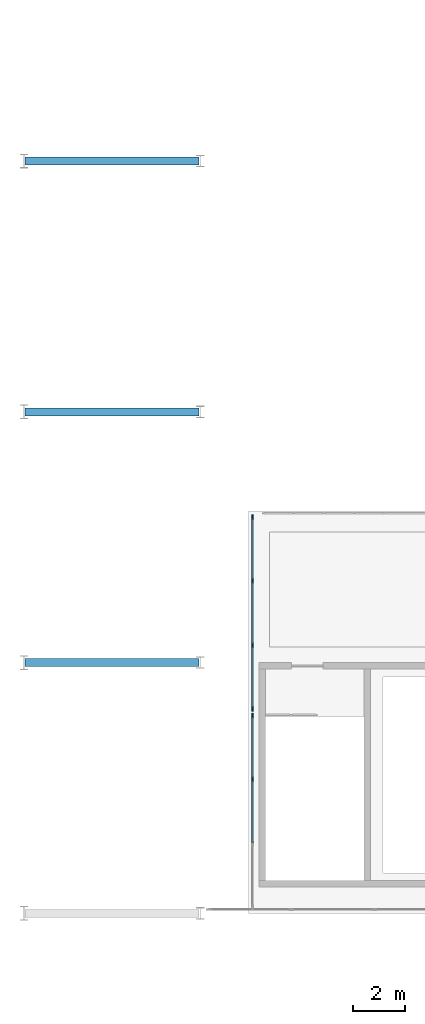
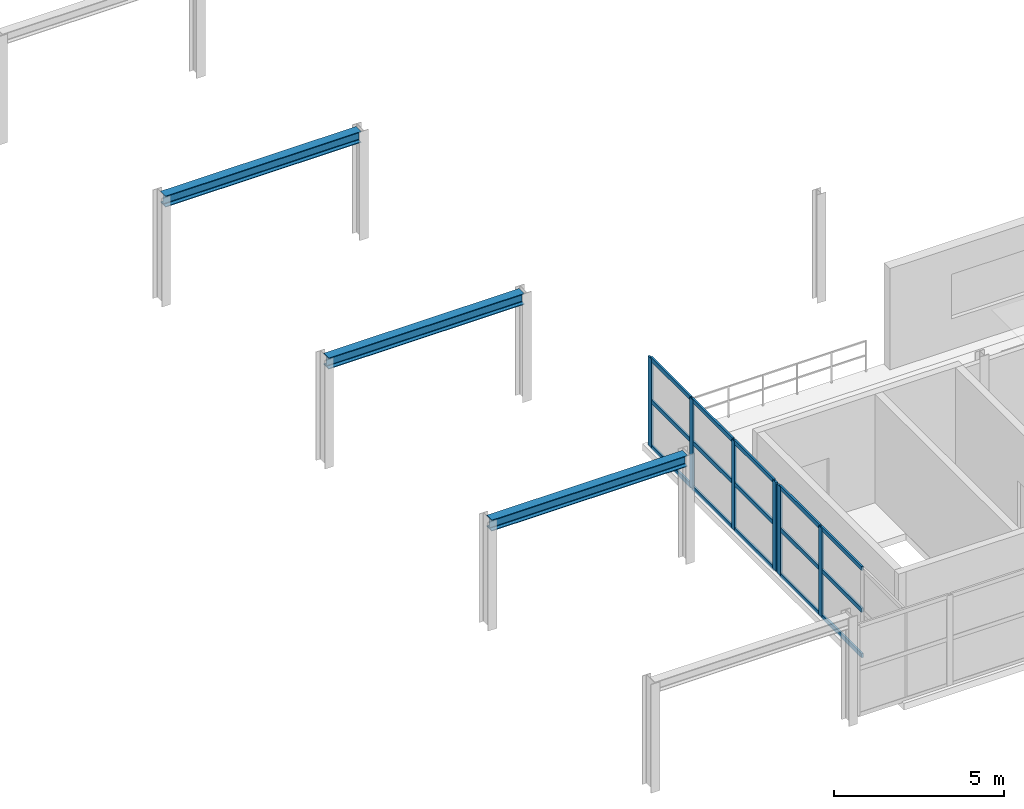
# One storey, part 17 of 52: 21 members, 3 beams, 2 elements without a shape of their own.
"""IFC4 building model written with IfcOpenShell, lengths in metres."""

import ifcopenshell
import ifcopenshell.guid

model = None  # the IFC model being written
_history = None  # IfcOwnerHistory: only IFC2X3 demands one
_inside = {}  # id of a spatial element -> (the spatial element, [elements in it])
_under = {}  # id of a project, library or spatial element -> (it, [spatial elements below it])
_declared = {}  # id of a project -> (the project, [libraries it declares])
_typed = {}  # id of a type object -> (the type object, [elements of that type])
_made_of = {}  # id of a material, layer set ... -> (it, [elements and type objects made of it])


def new_model(schema):
    """Start an empty IFC model of exactly this schema.

    Asked for "IFC4X3", IfcOpenShell would pick the latest addendum, in which some entities
    have other attributes; the version numbers below select the first issue.
    IFC2X3 requires an IfcOwnerHistory on every rooted entity: one is made here for all.
    """
    global model, _history
    if schema == "IFC4X3":
        model = ifcopenshell.file(schema_version=(4, 3, 0, 0))
    else:
        model = ifcopenshell.file(schema=schema)
    _inside.clear()
    _under.clear()
    _declared.clear()
    _typed.clear()
    _made_of.clear()
    _history = None
    if model.schema == "IFC2X3":
        org = make("IfcOrganization", Name="unknown")
        user = make(
            "IfcPersonAndOrganization",
            ThePerson=make("IfcPerson", FamilyName="unknown"),
            TheOrganization=org,
        )
        app = make(
            "IfcApplication",
            ApplicationDeveloper=org,
            Version="unknown",
            ApplicationFullName="unknown",
            ApplicationIdentifier="unknown",
        )
        _history = make(
            "IfcOwnerHistory",
            OwningUser=user,
            OwningApplication=app,
            ChangeAction="ADDED",
            CreationDate=0,
        )
    return model


def make(cls, **values):
    """One entity of the class cls with the attributes given. An attribute that is None is left unset."""
    return model.create_entity(
        cls, **{name: value for name, value in values.items() if value is not None}
    )


def rooted(cls, **values):
    """An entity with a GlobalId (a new one), such as an element, a storey or a relation."""
    return make(cls, GlobalId=ifcopenshell.guid.new(), OwnerHistory=_history, **values)


def si_unit(unit_type, name, prefix=None):
    """IfcSIUnit, for example si_unit("LENGTHUNIT", "METRE", prefix="MILLI")."""
    return make("IfcSIUnit", UnitType=unit_type, Prefix=prefix, Name=name)


def assignment(units):
    """IfcUnitAssignment: the units of a project."""
    return None if units is None else make("IfcUnitAssignment", Units=units)


def point(xyz):
    """IfcCartesianPoint."""
    return None if xyz is None else make("IfcCartesianPoint", Coordinates=xyz)


def direction(xyz):
    """IfcDirection."""
    return None if xyz is None else make("IfcDirection", DirectionRatios=xyz)


def frame(location, z_axis=None, x_axis=None):
    """IfcAxis2Placement3D, a coordinate frame: its origin and axes. An axis left out is left unset."""
    return make(
        "IfcAxis2Placement3D",
        Location=point(location),
        Axis=direction(z_axis),
        RefDirection=direction(x_axis),
    )


def frame_2d(location, x_axis=None):
    """IfcAxis2Placement2D, a coordinate frame in the plane: its origin and x axis."""
    return make(
        "IfcAxis2Placement2D", Location=point(location), RefDirection=direction(x_axis)
    )


def origin():
    """The frame at (0, 0, 0) with its axes left unset."""
    return frame((0.0, 0.0, 0.0))


def origin_2d():
    """The frame at (0, 0) in the plane with its x axis left unset."""
    return frame_2d((0.0, 0.0))


def place(relative_to, where):
    """IfcLocalPlacement: puts the frame where relative to a parent placement (None: the world)."""
    return make(
        "IfcLocalPlacement", PlacementRelTo=relative_to, RelativePlacement=where
    )


def context(
    kind, dimensions, precision=None, world=None, true_north=None, identifier=None
):
    """IfcGeometricRepresentationContext, for example the 3D "Model" context."""
    return make(
        "IfcGeometricRepresentationContext",
        ContextIdentifier=identifier,
        ContextType=kind,
        CoordinateSpaceDimension=dimensions,
        Precision=precision,
        WorldCoordinateSystem=world,
        TrueNorth=true_north,
    )


def subcontext(parent, identifier, kind, view, scale=None):
    """IfcGeometricRepresentationSubContext, for example "Body" below "Model"."""
    return make(
        "IfcGeometricRepresentationSubContext",
        ContextIdentifier=identifier,
        ContextType=kind,
        ParentContext=parent,
        TargetScale=scale,
        TargetView=view,
    )


def project(units=None, contexts=None):
    """IfcProject with its units and contexts."""
    return rooted(
        "IfcProject",
        Name="project",
        RepresentationContexts=contexts,
        UnitsInContext=assignment(units),
    )


def spatial(cls, under=None, at=None, **own):
    """A site, building, storey or space (cls), placed at a placement, below another one or the project."""
    s = rooted(cls, ObjectPlacement=at, **own)
    if under is not None:
        _under.setdefault(under.id(), (under, []))[1].append(s)
    return s


def profile(cls, at=None, kind="AREA", **sizes):
    """A parametric profile (cls). Its sizes go by their IFC names, for example OverallWidth=200.0."""
    return make(cls, ProfileType=kind, Position=at, **sizes)


def rectangle(**sizes):
    """IfcRectangleProfileDef."""
    return profile("IfcRectangleProfileDef", **sizes)


def i_section(**sizes):
    """IfcIShapeProfileDef."""
    return profile("IfcIShapeProfileDef", **sizes)


def extrude(swept, where, along, depth):
    """IfcExtrudedAreaSolid: the profile swept, set in the frame where, extruded along a direction by depth."""
    return make(
        "IfcExtrudedAreaSolid",
        SweptArea=swept,
        Position=where,
        ExtrudedDirection=direction(along),
        Depth=depth,
    )


def shape(context_of_items, identifier, shape_type, items):
    """IfcShapeRepresentation: the items that make up one representation, for example the "Body"."""
    return make(
        "IfcShapeRepresentation",
        ContextOfItems=context_of_items,
        RepresentationIdentifier=identifier,
        RepresentationType=shape_type,
        Items=items,
    )


def material(Name=None, Category=None):
    """IfcMaterial."""
    return make("IfcMaterial", Name=Name, Category=Category)


def layer(
    of_material, thickness, ventilated=None, Name=None, Category=None, Priority=None
):
    """IfcMaterialLayer: one layer of a wall or slab, of a material (None: an air gap)."""
    return make(
        "IfcMaterialLayer",
        Material=of_material,
        LayerThickness=thickness,
        IsVentilated=ventilated,
        Name=Name,
        Category=Category,
        Priority=Priority,
    )


def layer_set(layers, Name=None):
    """IfcMaterialLayerSet."""
    return make("IfcMaterialLayerSet", MaterialLayers=layers, LayerSetName=Name)


def material_profile(
    of_material, cross_section, Name=None, Category=None, Priority=None
):
    """IfcMaterialProfile: a cross section and its material."""
    return make(
        "IfcMaterialProfile",
        Name=Name,
        Material=of_material,
        Profile=cross_section,
        Priority=Priority,
        Category=Category,
    )


def profile_set(profiles, Name=None, composite=None):
    """IfcMaterialProfileSet."""
    return make(
        "IfcMaterialProfileSet",
        Name=Name,
        MaterialProfiles=profiles,
        CompositeProfile=composite,
    )


def made_of(thing, what):
    """Note that an element or type object is made of a material, layer set ...; save() writes the relation."""
    if what is not None:
        _made_of.setdefault(what.id(), (what, []))[1].append(thing)
    return thing


def type_object(cls, material=None, **own):
    """A type object (cls), such as IfcWallType, which elements share."""
    return made_of(rooted(cls, **own), material)


def element(
    cls,
    number,
    at=None,
    inside=None,
    cuts=None,
    type_object=None,
    material=None,
    context=None,
    identifier="Body",
    shape_type=None,
    held_by="IfcProductDefinitionShape",
    body=None,
    shapes=None,
    **own,
):
    """One element of the class cls, such as IfcWall. Its Tag is "e" and its number.

    at: its placement. inside: the storey or other place that contains it. cuts: it is an
    opening in that element (IfcRelVoidsElement). A single representation is given by context,
    identifier, shape_type and body (its items); several are given by shapes. held_by: the class
    of the entity that holds the representations. save() writes the other relations.
    """
    e = rooted(cls, Tag="e%d" % number, ObjectPlacement=at, **own)
    if body is not None:
        shapes = [shape(context, identifier, shape_type, body)]
    if shapes is not None:
        e.Representation = make(held_by, Representations=shapes)
    if inside is not None:
        _inside.setdefault(inside.id(), (inside, []))[1].append(e)
    if cuts is not None:
        rooted(
            "IfcRelVoidsElement", RelatingBuildingElement=cuts, RelatedOpeningElement=e
        )
    if type_object is not None:
        _typed.setdefault(type_object.id(), (type_object, []))[1].append(e)
    return made_of(e, material)


def aggregate(whole, parts):
    """IfcRelAggregates: a whole, such as a stair, and the parts it consists of."""
    return rooted("IfcRelAggregates", RelatingObject=whole, RelatedObjects=parts)


def save(model, path):
    """Write the relations noted so far, then the file.

    IfcRelAggregates (storeys below a building ...), IfcRelContainedInSpatialStructure (elements
    in a storey), IfcRelDefinesByType, IfcRelAssociatesMaterial and IfcRelDeclares: one each for
    every whole, place, type object, material and project.
    """
    for whole, parts in _under.values():
        aggregate(whole, parts)
    for where, things in _inside.values():
        rooted(
            "IfcRelContainedInSpatialStructure",
            RelatedElements=things,
            RelatingStructure=where,
        )
    for kind, things in _typed.values():
        rooted("IfcRelDefinesByType", RelatedObjects=things, RelatingType=kind)
    for what, things in _made_of.values():
        rooted("IfcRelAssociatesMaterial", RelatedObjects=things, RelatingMaterial=what)
    for by, libraries in _declared.values():
        rooted("IfcRelDeclares", RelatingContext=by, RelatedDefinitions=libraries)
    model.write(path)


model = new_model("IFC4")

# Units and contexts
model_context = context("Model", 3, precision=1e-05, world=origin(), true_north=direction((0.0, 1.0)))
body_context = subcontext(model_context, "Body", "Model", "MODEL_VIEW")
ifc_project = project(units=[si_unit("LENGTHUNIT", "METRE"), si_unit("AREAUNIT", "SQUARE_METRE"), si_unit("VOLUMEUNIT", "CUBIC_METRE"), si_unit("PLANEANGLEUNIT", "RADIAN"), si_unit("MASSUNIT", "GRAM", prefix="KILO")], contexts=[model_context])

# Site, building, storey
site_placement = place(None, origin())
site = spatial("IfcSite", under=ifc_project, at=site_placement, CompositionType="ELEMENT")
building_placement = place(site_placement, origin())
building = spatial("IfcBuilding", under=site, at=building_placement, Name="Myrtia Square Station", CompositionType="ELEMENT")
storey_placement = place(building_placement, frame((0.0, 0.0, 15.0)))
storey = spatial("IfcBuildingStorey", under=building, at=storey_placement, Name="L03", CompositionType="ELEMENT", Elevation=15.0)

# Beams
ifc_material_1 = material(Name="Steel S355", Category="steel")
ifc_material_profile_1 = material_profile(ifc_material_1, i_section(OverallWidth=0.300048828125, OverallDepth=0.39990234375, WebThickness=0.013427734375, FlangeThickness=0.02392578125, FilletRadius=0.027099609375, at=origin_2d()), Name="HEB 400")
ifc_profile_set_1 = profile_set([ifc_material_profile_1], Name="Steel S355")
beam_type = type_object("IfcBeamType", Name="BM-HEB400", PredefinedType="BEAM", material=ifc_profile_set_1)
for number, where, z_axis, x_axis, name in (
    (1, (72.64990234375, 38.39990234375, 3.64990234375), (1.0, 0.0, 0.0), (0.0, 1.0, 0.0), "Colonnade overhang tie beam 004"),
    (2, (72.64990234375, 48.0, 3.64990234375), (1.0, 0.0, 0.0), (0.0, 1.0, 0.0), "Colonnade overhang tie beam 007"),
    (3, (72.64990234375, 57.60009765625, 3.64990234375), (1.0, 0.0, 0.0), (0.0, 1.0, 0.0), "Colonnade overhang tie beam 011"),
):
    element("IfcBeam", number, at=place(storey_placement, frame(where, z_axis=z_axis, x_axis=x_axis)), inside=storey, type_object=beam_type, Name=name, PredefinedType="BEAM", context=body_context, shape_type="SweptSolid", body=[
        extrude(i_section(OverallWidth=0.300048828125, OverallDepth=0.39990234375, WebThickness=0.013427734375, FlangeThickness=0.02392578125, FilletRadius=0.027099609375, at=origin_2d()), origin(), (0.0, 0.0, 1.0), 6.650146484375),
    ])

# Curtain wall, members
ifc_material_2 = material(Name="Dark bronze anodised aluminium", Category="aluminium")
ifc_layer = layer(ifc_material_2, 0.159912109375, Name="Dark bronze anodised aluminium")
ifc_layer_set = layer_set([ifc_layer], Name="Dark bronze anodised aluminium")
curtain_wall_type = type_object("IfcCurtainWallType", Name="CW-TYPE-07-740x320", PredefinedType="USERDEFINED", material=ifc_layer_set)
curtain_wall_1_placement = place(storey_placement, origin())
curtain_wall_1 = element("IfcCurtainWall", 4, at=curtain_wall_1_placement, inside=storey, type_object=curtain_wall_type, Name="Concourse curtain wall CW-L03-033", ObjectType="CONCOURSE CURTAIN WALL", PredefinedType="USERDEFINED")
ifc_material_profile_2 = material_profile(ifc_material_2, rectangle(XDim=0.06494140625, YDim=0.199951171875, at=origin_2d()), Name="ALU-M 65x200")
ifc_profile_set_2 = profile_set([ifc_material_profile_2], Name="Dark bronze anodised aluminium")
member_type_1 = type_object("IfcMemberType", Name="CWM-65x200", PredefinedType="MULLION", material=ifc_profile_set_2)
member_1_placement = place(storey_placement, frame((81.35009765625, 33.933349609375, 0.0), z_axis=(0.0, 0.0, 1.0), x_axis=(-1.0, 0.0, 0.0)))
member_1 = element("IfcMember", 5, at=member_1_placement, type_object=member_type_1, Name="CW-033 mullion 3", PredefinedType="MULLION", context=body_context, shape_type="SweptSolid", body=[
    extrude(rectangle(XDim=0.06494140625, YDim=0.199951171875, at=origin_2d()), origin(), (0.0, 0.0, 1.0), 3.199951171875),
])
member_2_placement = place(storey_placement, frame((81.35009765625, 36.367431640625, 0.0), z_axis=(0.0, 0.0, 1.0), x_axis=(-1.0, 0.0, 0.0)))
member_2 = element("IfcMember", 6, at=member_2_placement, type_object=member_type_1, Name="CW-033 mullion 4", PredefinedType="MULLION", context=body_context, shape_type="SweptSolid", body=[
    extrude(rectangle(XDim=0.06494140625, YDim=0.199951171875, at=origin_2d()), origin(), (0.0, 0.0, 1.0), 3.199951171875),
])

curtain_wall_2_placement = place(storey_placement, origin())
curtain_wall_2 = element("IfcCurtainWall", 7, at=curtain_wall_2_placement, inside=storey, type_object=curtain_wall_type, Name="Concourse curtain wall CW-L03-035", ObjectType="CONCOURSE CURTAIN WALL", PredefinedType="USERDEFINED")
member_3_placement = place(storey_placement, frame((81.35009765625, 36.632568359375, 0.0), z_axis=(0.0, 0.0, 1.0), x_axis=(-1.0, 0.0, 0.0)))
member_3 = element("IfcMember", 8, at=member_3_placement, type_object=member_type_1, Name="CW-035 mullion 1", PredefinedType="MULLION", context=body_context, shape_type="SweptSolid", body=[
    extrude(rectangle(XDim=0.06494140625, YDim=0.199951171875, at=origin_2d()), origin(), (0.0, 0.0, 1.0), 3.199951171875),
])
member_4_placement = place(storey_placement, frame((81.35009765625, 39.066650390625, 0.0), z_axis=(0.0, 0.0, 1.0), x_axis=(-1.0, 0.0, 0.0)))
member_4 = element("IfcMember", 9, at=member_4_placement, type_object=member_type_1, Name="CW-035 mullion 2", PredefinedType="MULLION", context=body_context, shape_type="SweptSolid", body=[
    extrude(rectangle(XDim=0.06494140625, YDim=0.199951171875, at=origin_2d()), origin(), (0.0, 0.0, 1.0), 3.199951171875),
])
member_5_placement = place(storey_placement, frame((81.35009765625, 41.533447265625, 0.0), z_axis=(0.0, 0.0, 1.0), x_axis=(-1.0, 0.0, 0.0)))
member_5 = element("IfcMember", 10, at=member_5_placement, type_object=member_type_1, Name="CW-035 mullion 3", PredefinedType="MULLION", context=body_context, shape_type="SweptSolid", body=[
    extrude(rectangle(XDim=0.06494140625, YDim=0.199951171875, at=origin_2d()), origin(), (0.0, 0.0, 1.0), 3.199951171875),
])
member_6_placement = place(storey_placement, frame((81.35009765625, 43.967529296875, 0.0), z_axis=(0.0, 0.0, 1.0), x_axis=(-1.0, 0.0, 0.0)))
member_6 = element("IfcMember", 11, at=member_6_placement, type_object=member_type_1, Name="CW-035 mullion 4", PredefinedType="MULLION", context=body_context, shape_type="SweptSolid", body=[
    extrude(rectangle(XDim=0.06494140625, YDim=0.199951171875, at=origin_2d()), origin(), (0.0, 0.0, 1.0), 3.199951171875),
])

# Member
ifc_material_profile_3 = material_profile(ifc_material_2, rectangle(XDim=0.06494140625, YDim=0.14990234375, at=origin_2d()), Name="ALU-T 65x150")
ifc_profile_set_3 = profile_set([ifc_material_profile_3], Name="Dark bronze anodised aluminium")
member_type_2 = type_object("IfcMemberType", Name="CWT-65x150", PredefinedType="USERDEFINED", material=ifc_profile_set_3)
member_7_placement = place(storey_placement, frame((81.35009765625, 31.499267578125, 0.032470703125), z_axis=(0.0, 1.0, 0.0), x_axis=(-1.0, 0.0, 0.0)))
member_7 = element("IfcMember", 12, at=member_7_placement, type_object=member_type_2, Name="CW-033 transom 2.1", ObjectType="TRANSOM", PredefinedType="USERDEFINED", context=body_context, shape_type="SweptSolid", body=[
    extrude(rectangle(XDim=0.06494140625, YDim=0.14990234375, at=origin_2d()), origin(), (0.0, 0.0, 1.0), 2.401611328125),
])

member_8_placement = place(storey_placement, frame((81.35009765625, 31.499267578125, 1.6640625), z_axis=(0.0, 1.0, 0.0), x_axis=(-1.0, 0.0, 0.0)))
member_8 = element("IfcMember", 13, at=member_8_placement, type_object=member_type_2, Name="CW-033 transom 2.2", ObjectType="TRANSOM", PredefinedType="USERDEFINED", context=body_context, shape_type="SweptSolid", body=[
    extrude(rectangle(XDim=0.06494140625, YDim=0.14990234375, at=origin_2d()), origin(), (0.0, 0.0, 1.0), 2.401611328125),
])

member_9_placement = place(storey_placement, frame((81.35009765625, 31.499267578125, 3.16748046875), z_axis=(0.0, 1.0, 0.0), x_axis=(-1.0, 0.0, 0.0)))
member_9 = element("IfcMember", 14, at=member_9_placement, type_object=member_type_2, Name="CW-033 transom 2.3", ObjectType="TRANSOM", PredefinedType="USERDEFINED", context=body_context, shape_type="SweptSolid", body=[
    extrude(rectangle(XDim=0.06494140625, YDim=0.14990234375, at=origin_2d()), origin(), (0.0, 0.0, 1.0), 2.401611328125),
])

member_10_placement = place(storey_placement, frame((81.35009765625, 33.9658203125, 0.032470703125), z_axis=(0.0, 1.0, 0.0), x_axis=(-1.0, 0.0, 0.0)))
member_10 = element("IfcMember", 15, at=member_10_placement, type_object=member_type_2, Name="CW-033 transom 3.1", ObjectType="TRANSOM", PredefinedType="USERDEFINED", context=body_context, shape_type="SweptSolid", body=[
    extrude(rectangle(XDim=0.06494140625, YDim=0.14990234375, at=origin_2d()), origin(), (0.0, 0.0, 1.0), 2.369140625),
])

member_11_placement = place(storey_placement, frame((81.35009765625, 33.9658203125, 1.6640625), z_axis=(0.0, 1.0, 0.0), x_axis=(-1.0, 0.0, 0.0)))
member_11 = element("IfcMember", 16, at=member_11_placement, type_object=member_type_2, Name="CW-033 transom 3.2", ObjectType="TRANSOM", PredefinedType="USERDEFINED", context=body_context, shape_type="SweptSolid", body=[
    extrude(rectangle(XDim=0.06494140625, YDim=0.14990234375, at=origin_2d()), origin(), (0.0, 0.0, 1.0), 2.369140625),
])

member_12_placement = place(storey_placement, frame((81.35009765625, 33.9658203125, 3.16748046875), z_axis=(0.0, 1.0, 0.0), x_axis=(-1.0, 0.0, 0.0)))
member_12 = element("IfcMember", 17, at=member_12_placement, type_object=member_type_2, Name="CW-033 transom 3.3", ObjectType="TRANSOM", PredefinedType="USERDEFINED", context=body_context, shape_type="SweptSolid", body=[
    extrude(rectangle(XDim=0.06494140625, YDim=0.14990234375, at=origin_2d()), origin(), (0.0, 0.0, 1.0), 2.369140625),
])

aggregate(curtain_wall_1, [member_1, member_2, member_7, member_8, member_9, member_10, member_11, member_12])

member_13_placement = place(storey_placement, frame((81.35009765625, 36.6650390625, 0.032470703125), z_axis=(0.0, 1.0, 0.0), x_axis=(-1.0, 0.0, 0.0)))
member_13 = element("IfcMember", 18, at=member_13_placement, type_object=member_type_2, Name="CW-035 transom 1.1", ObjectType="TRANSOM", PredefinedType="USERDEFINED", context=body_context, shape_type="SweptSolid", body=[
    extrude(rectangle(XDim=0.06494140625, YDim=0.14990234375, at=origin_2d()), origin(), (0.0, 0.0, 1.0), 2.369140625),
])

member_14_placement = place(storey_placement, frame((81.35009765625, 36.6650390625, 1.6640625), z_axis=(0.0, 1.0, 0.0), x_axis=(-1.0, 0.0, 0.0)))
member_14 = element("IfcMember", 19, at=member_14_placement, type_object=member_type_2, Name="CW-035 transom 1.2", ObjectType="TRANSOM", PredefinedType="USERDEFINED", context=body_context, shape_type="SweptSolid", body=[
    extrude(rectangle(XDim=0.06494140625, YDim=0.14990234375, at=origin_2d()), origin(), (0.0, 0.0, 1.0), 2.369140625),
])

member_15_placement = place(storey_placement, frame((81.35009765625, 36.6650390625, 3.16748046875), z_axis=(0.0, 1.0, 0.0), x_axis=(-1.0, 0.0, 0.0)))
member_15 = element("IfcMember", 20, at=member_15_placement, type_object=member_type_2, Name="CW-035 transom 1.3", ObjectType="TRANSOM", PredefinedType="USERDEFINED", context=body_context, shape_type="SweptSolid", body=[
    extrude(rectangle(XDim=0.06494140625, YDim=0.14990234375, at=origin_2d()), origin(), (0.0, 0.0, 1.0), 2.369140625),
])

member_16_placement = place(storey_placement, frame((81.35009765625, 39.09912109375, 0.032470703125), z_axis=(0.0, 1.0, 0.0), x_axis=(-1.0, 0.0, 0.0)))
member_16 = element("IfcMember", 21, at=member_16_placement, type_object=member_type_2, Name="CW-035 transom 2.1", ObjectType="TRANSOM", PredefinedType="USERDEFINED", context=body_context, shape_type="SweptSolid", body=[
    extrude(rectangle(XDim=0.06494140625, YDim=0.14990234375, at=origin_2d()), origin(), (0.0, 0.0, 1.0), 2.401611328125),
])

member_17_placement = place(storey_placement, frame((81.35009765625, 39.09912109375, 1.6640625), z_axis=(0.0, 1.0, 0.0), x_axis=(-1.0, 0.0, 0.0)))
member_17 = element("IfcMember", 22, at=member_17_placement, type_object=member_type_2, Name="CW-035 transom 2.2", ObjectType="TRANSOM", PredefinedType="USERDEFINED", context=body_context, shape_type="SweptSolid", body=[
    extrude(rectangle(XDim=0.06494140625, YDim=0.14990234375, at=origin_2d()), origin(), (0.0, 0.0, 1.0), 2.401611328125),
])

member_18_placement = place(storey_placement, frame((81.35009765625, 39.09912109375, 3.16748046875), z_axis=(0.0, 1.0, 0.0), x_axis=(-1.0, 0.0, 0.0)))
member_18 = element("IfcMember", 23, at=member_18_placement, type_object=member_type_2, Name="CW-035 transom 2.3", ObjectType="TRANSOM", PredefinedType="USERDEFINED", context=body_context, shape_type="SweptSolid", body=[
    extrude(rectangle(XDim=0.06494140625, YDim=0.14990234375, at=origin_2d()), origin(), (0.0, 0.0, 1.0), 2.401611328125),
])

member_19_placement = place(storey_placement, frame((81.35009765625, 41.56591796875, 0.032470703125), z_axis=(0.0, 1.0, 0.0), x_axis=(-1.0, 0.0, 0.0)))
member_19 = element("IfcMember", 24, at=member_19_placement, type_object=member_type_2, Name="CW-035 transom 3.1", ObjectType="TRANSOM", PredefinedType="USERDEFINED", context=body_context, shape_type="SweptSolid", body=[
    extrude(rectangle(XDim=0.06494140625, YDim=0.14990234375, at=origin_2d()), origin(), (0.0, 0.0, 1.0), 2.369140625),
])

member_20_placement = place(storey_placement, frame((81.35009765625, 41.56591796875, 1.6640625), z_axis=(0.0, 1.0, 0.0), x_axis=(-1.0, 0.0, 0.0)))
member_20 = element("IfcMember", 25, at=member_20_placement, type_object=member_type_2, Name="CW-035 transom 3.2", ObjectType="TRANSOM", PredefinedType="USERDEFINED", context=body_context, shape_type="SweptSolid", body=[
    extrude(rectangle(XDim=0.06494140625, YDim=0.14990234375, at=origin_2d()), origin(), (0.0, 0.0, 1.0), 2.369140625),
])

member_21_placement = place(storey_placement, frame((81.35009765625, 41.56591796875, 3.16748046875), z_axis=(0.0, 1.0, 0.0), x_axis=(-1.0, 0.0, 0.0)))
member_21 = element("IfcMember", 26, at=member_21_placement, type_object=member_type_2, Name="CW-035 transom 3.3", ObjectType="TRANSOM", PredefinedType="USERDEFINED", context=body_context, shape_type="SweptSolid", body=[
    extrude(rectangle(XDim=0.06494140625, YDim=0.14990234375, at=origin_2d()), origin(), (0.0, 0.0, 1.0), 2.369140625),
])

aggregate(curtain_wall_2, [member_3, member_4, member_5, member_6, member_13, member_14, member_15, member_16, member_17, member_18, member_19, member_20, member_21])

save(model, "model.ifc")
